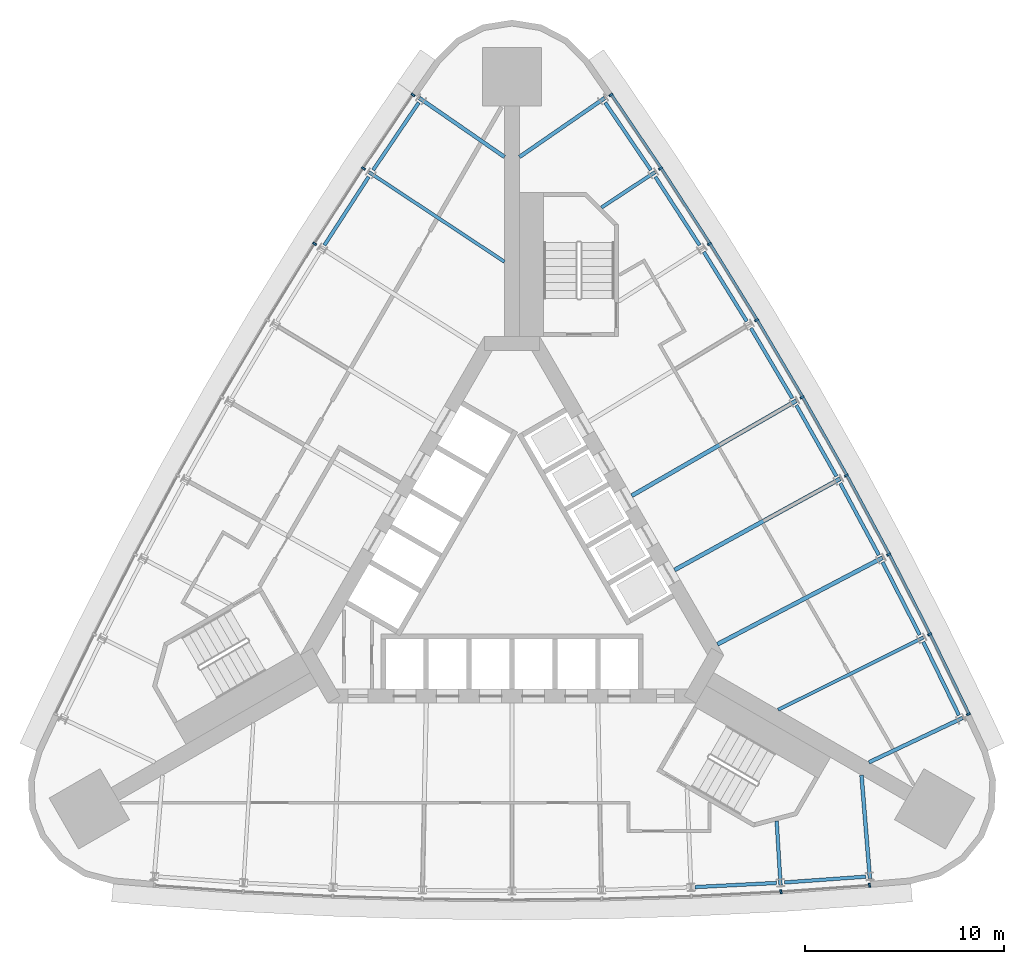
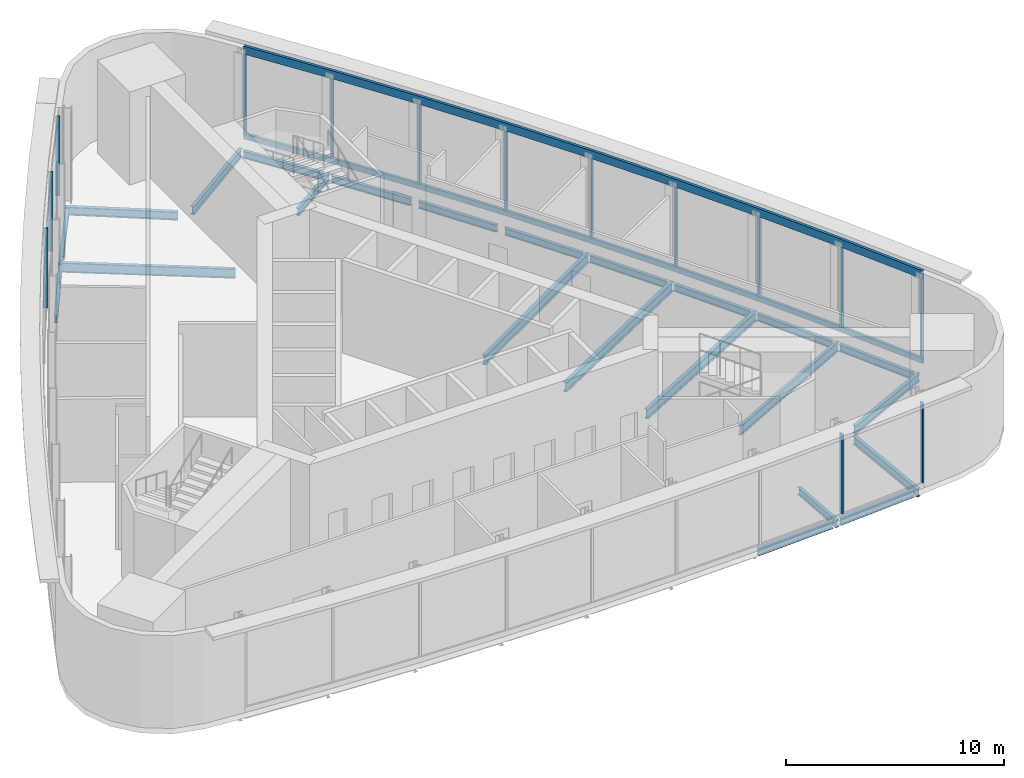
# One storey, part 4 of 11: 23 beams, 16 members, 3 elements without a shape of their own.
"""IFC4 building model written with IfcOpenShell, lengths in metres."""

from ifc_helpers import new_model, si_unit, direction, frame, origin, origin_2d, place, context, subcontext, project, spatial, polyline, rectangle, i_section, outline, extrude, material, material_profile, profile_set, type_object, element, aggregate, save


model = new_model("IFC4")

# Units and contexts
model_context = context("Model", 3, precision=1e-05, world=origin(), true_north=direction((0.0, 1.0)))
body_context = subcontext(model_context, "Body", "Model", "MODEL_VIEW")
ifc_project = project(units=[si_unit("LENGTHUNIT", "METRE"), si_unit("AREAUNIT", "SQUARE_METRE"), si_unit("VOLUMEUNIT", "CUBIC_METRE"), si_unit("PLANEANGLEUNIT", "RADIAN"), si_unit("MASSUNIT", "GRAM", prefix="KILO")], contexts=[model_context])

# Site, building, storey
site_placement = place(None, origin())
site = spatial("IfcSite", under=ifc_project, at=site_placement, CompositionType="ELEMENT")
building_placement = place(site_placement, origin())
building = spatial("IfcBuilding", under=site, at=building_placement, Name="Noor Cloister Tower", CompositionType="ELEMENT")
storey_placement = place(building_placement, frame((0.0, 0.0, 134.699951171875)))
storey = spatial("IfcBuildingStorey", under=building, at=storey_placement, Name="L34", CompositionType="ELEMENT", Elevation=134.699951171875)

# Curtain wall, member
ifc_material_1 = material(Name="Aluminium 6063-T6 anodised", Category="aluminium")
curtain_wall_type = type_object("IfcCurtainWallType", Name="Full height glass wall, sky lobby and observation deck CW3", PredefinedType="NOTDEFINED", material=ifc_material_1)
curtain_wall_1_placement = place(storey_placement, origin())
curtain_wall_1 = element("IfcCurtainWall", 1, at=curtain_wall_1_placement, inside=storey, type_object=curtain_wall_type, Name="CW3 L34 NE run 3", PredefinedType="NOTDEFINED")
ifc_material_2 = material(Name="Aluminium 6063-T6 anodised", Category="aluminium")
member_type_1 = type_object("IfcMemberType", Name="Head transom CW3 450", PredefinedType="USERDEFINED", material=ifc_material_2)
member_1_placement = place(storey_placement, frame((0.0, 0.0, 4.75)))
member_1 = element("IfcMember", 2, at=member_1_placement, type_object=member_type_1, Name="CW3 head transom", ObjectType="TRANSOM", PredefinedType="USERDEFINED", context=body_context, shape_type="SweptSolid", body=[
    extrude(outline(polyline([(22.992919921875, -7.48681640625), (21.025146484375, -3.43994140625), (18.9755859375, 0.566162109375), (16.845458984375, 4.52978515625), (14.635009765625, 8.449462890625), (12.345703125, 12.323486328125), (9.978271484375, 16.150390625), (7.533447265625, 19.92822265625), (5.0126953125, 23.65576171875), (4.896728515625, 23.577392578125), (7.416748046875, 19.85107421875), (9.85986328125, 16.075439453125), (12.225830078125, 12.251220703125), (14.513916015625, 8.379638671875), (16.72265625, 4.46240234375), (18.851806640625, 0.501220703125), (20.89990234375, -3.50244140625), (22.866943359375, -7.548095703125), (22.992919921875, -7.48681640625)])), origin(), (0.0, 0.0, 1.0), 0.449951171875),
])

# Curtain wall, members
curtain_wall_2_placement = place(storey_placement, origin())
curtain_wall_2 = element("IfcCurtainWall", 3, at=curtain_wall_2_placement, inside=storey, type_object=curtain_wall_type, Name="CW3 L34 NW run 1", PredefinedType="NOTDEFINED")
ifc_material_3 = material(Name="Aluminium 6063-T6 anodised", Category="aluminium")
ifc_material_profile_1 = material_profile(ifc_material_3, rectangle(XDim=0.199951171875, YDim=0.10009765625, at=origin_2d()), Name="200 x 100 mullion")
ifc_profile_set_1 = profile_set([ifc_material_profile_1], Name="Aluminium 6063-T6 anodised")
member_type_2 = type_object("IfcMemberType", Name="Mullion CW3 100 x 200", PredefinedType="MULLION", material=ifc_profile_set_1)
member_2_placement = place(storey_placement, frame((-4.957763671875, 23.558349609375, 0.300048828125), z_axis=(0.0, 0.0, 1.0), x_axis=(0.828355501592, -0.560202787374, 0.0)))
member_2 = element("IfcMember", 4, at=member_2_placement, type_object=member_type_2, Name="CW3 mullion 1", PredefinedType="MULLION", context=body_context, shape_type="SweptSolid", body=[
    extrude(rectangle(XDim=0.199951171875, YDim=0.10009765625, at=origin_2d()), origin(), (0.0, 0.0, 1.0), 4.449951171875),
])
member_3_placement = place(storey_placement, frame((-7.449951171875, 19.873046875, 0.300048828125), z_axis=(0.0, 0.0, 1.0), x_axis=(0.833997356538, -0.551768438105, 0.0)))
member_3 = element("IfcMember", 5, at=member_3_placement, type_object=member_type_2, Name="CW3 mullion 2", PredefinedType="MULLION", context=body_context, shape_type="SweptSolid", body=[
    extrude(rectangle(XDim=0.199951171875, YDim=0.10009765625, at=origin_2d()), origin(), (0.0, 0.0, 1.0), 4.449951171875),
])
member_4_placement = place(storey_placement, frame((-9.8935546875, 16.096923828125, 0.300048828125), z_axis=(0.0, 0.0, 1.0), x_axis=(0.845022876611, -0.534730154381, 0.0)))
member_4 = element("IfcMember", 6, at=member_4_placement, type_object=member_type_2, Name="CW3 mullion 3", PredefinedType="MULLION", context=body_context, shape_type="SweptSolid", body=[
    extrude(rectangle(XDim=0.199951171875, YDim=0.10009765625, at=origin_2d()), origin(), (0.0, 0.0, 1.0), 4.449951171875),
])
aggregate(curtain_wall_2, [member_2, member_3, member_4])

curtain_wall_3_placement = place(storey_placement, origin())
curtain_wall_3 = element("IfcCurtainWall", 7, at=curtain_wall_3_placement, inside=storey, type_object=curtain_wall_type, Name="CW3 L34 S run 2", PredefinedType="NOTDEFINED")
member_5_placement = place(storey_placement, frame((13.485595703125, -16.388427734375, 0.300048828125), z_axis=(0.0, 0.0, 1.0), x_axis=(-0.060846806136, 0.998147116503, 0.0)))
member_5 = element("IfcMember", 8, at=member_5_placement, type_object=member_type_2, Name="CW3 mullion 8", PredefinedType="MULLION", context=body_context, shape_type="SweptSolid", body=[
    extrude(rectangle(XDim=0.199951171875, YDim=0.10009765625, at=origin_2d()), origin(), (0.0, 0.0, 1.0), 4.449951171875),
])
member_6_placement = place(storey_placement, frame((17.92333984375, -16.07275390625, 0.300048828125), z_axis=(0.0, 0.0, 1.0), x_axis=(-0.070972094341, 0.997478301431, 0.0)))
member_6 = element("IfcMember", 9, at=member_6_placement, type_object=member_type_2, Name="CW3 mullion 9", PredefinedType="MULLION", context=body_context, shape_type="SweptSolid", body=[
    extrude(rectangle(XDim=0.199951171875, YDim=0.10009765625, at=origin_2d()), origin(), (0.0, 0.0, 1.0), 4.449951171875),
])
aggregate(curtain_wall_3, [member_5, member_6])

# Member
member_7_placement = place(storey_placement, frame((22.881103515625, -7.485595703125, 0.300048828125), z_axis=(0.0, 0.0, 1.0), x_axis=(-0.899327595933, -0.437275514056, 0.0)))
member_7 = element("IfcMember", 10, at=member_7_placement, type_object=member_type_2, Name="CW3 mullion 1", PredefinedType="MULLION", context=body_context, shape_type="SweptSolid", body=[
    extrude(rectangle(XDim=0.199951171875, YDim=0.10009765625, at=origin_2d()), origin(), (0.0, 0.0, 1.0), 4.449951171875),
])

member_8_placement = place(storey_placement, frame((20.935546875, -3.484619140625, 0.300048828125), z_axis=(0.0, 0.0, 1.0), x_axis=(-0.894844162674, -0.446378678398, 0.0)))
member_8 = element("IfcMember", 11, at=member_8_placement, type_object=member_type_2, Name="CW3 mullion 2", PredefinedType="MULLION", context=body_context, shape_type="SweptSolid", body=[
    extrude(rectangle(XDim=0.199951171875, YDim=0.10009765625, at=origin_2d()), origin(), (0.0, 0.0, 1.0), 4.449951171875),
])

member_9_placement = place(storey_placement, frame((18.88720703125, 0.519775390625, 0.300048828125), z_axis=(0.0, 0.0, 1.0), x_axis=(-0.885601336169, -0.464446200733, 0.0)))
member_9 = element("IfcMember", 12, at=member_9_placement, type_object=member_type_2, Name="CW3 mullion 3", PredefinedType="MULLION", context=body_context, shape_type="SweptSolid", body=[
    extrude(rectangle(XDim=0.199951171875, YDim=0.10009765625, at=origin_2d()), origin(), (0.0, 0.0, 1.0), 4.449951171875),
])

member_10_placement = place(storey_placement, frame((16.7578125, 4.481689453125, 0.300048828125), z_axis=(0.0, 0.0, 1.0), x_axis=(-0.875993769707, -0.482322418549, 0.0)))
member_10 = element("IfcMember", 13, at=member_10_placement, type_object=member_type_2, Name="CW3 mullion 4", PredefinedType="MULLION", context=body_context, shape_type="SweptSolid", body=[
    extrude(rectangle(XDim=0.199951171875, YDim=0.10009765625, at=origin_2d()), origin(), (0.0, 0.0, 1.0), 4.449951171875),
])

member_11_placement = place(storey_placement, frame((14.548583984375, 8.399658203125, 0.300048828125), z_axis=(0.0, 0.0, 1.0), x_axis=(-0.866025403784, -0.5, 0.0)))
member_11 = element("IfcMember", 14, at=member_11_placement, type_object=member_type_2, Name="CW3 mullion 5", PredefinedType="MULLION", context=body_context, shape_type="SweptSolid", body=[
    extrude(rectangle(XDim=0.199951171875, YDim=0.10009765625, at=origin_2d()), origin(), (0.0, 0.0, 1.0), 4.449951171875),
])

member_12_placement = place(storey_placement, frame((12.26025390625, 12.271728515625, 0.300048828125), z_axis=(0.0, 0.0, 1.0), x_axis=(-0.855700352132, -0.517471648848, 0.0)))
member_12 = element("IfcMember", 15, at=member_12_placement, type_object=member_type_2, Name="CW3 mullion 6", PredefinedType="MULLION", context=body_context, shape_type="SweptSolid", body=[
    extrude(rectangle(XDim=0.199951171875, YDim=0.10009765625, at=origin_2d()), origin(), (0.0, 0.0, 1.0), 4.449951171875),
])

member_13_placement = place(storey_placement, frame((9.8935546875, 16.096923828125, 0.300048828125), z_axis=(0.0, 0.0, 1.0), x_axis=(-0.845022876611, -0.534730154381, 0.0)))
member_13 = element("IfcMember", 16, at=member_13_placement, type_object=member_type_2, Name="CW3 mullion 7", PredefinedType="MULLION", context=body_context, shape_type="SweptSolid", body=[
    extrude(rectangle(XDim=0.199951171875, YDim=0.10009765625, at=origin_2d()), origin(), (0.0, 0.0, 1.0), 4.449951171875),
])

member_14_placement = place(storey_placement, frame((7.449951171875, 19.873046875, 0.300048828125), z_axis=(0.0, 0.0, 1.0), x_axis=(-0.833997356538, -0.551768438105, 0.0)))
member_14 = element("IfcMember", 17, at=member_14_placement, type_object=member_type_2, Name="CW3 mullion 8", PredefinedType="MULLION", context=body_context, shape_type="SweptSolid", body=[
    extrude(rectangle(XDim=0.199951171875, YDim=0.10009765625, at=origin_2d()), origin(), (0.0, 0.0, 1.0), 4.449951171875),
])

member_15_placement = place(storey_placement, frame((4.957763671875, 23.558349609375, 0.300048828125), z_axis=(0.0, 0.0, 1.0), x_axis=(-0.828355501592, -0.560202787374, 0.0)))
member_15 = element("IfcMember", 18, at=member_15_placement, type_object=member_type_2, Name="CW3 mullion 9", PredefinedType="MULLION", context=body_context, shape_type="SweptSolid", body=[
    extrude(rectangle(XDim=0.199951171875, YDim=0.10009765625, at=origin_2d()), origin(), (0.0, 0.0, 1.0), 4.449951171875),
])

# Beams
ifc_material_4 = material(Name="Steel ASTM A992 Gr 50", Category="steel")
ifc_material_profile_2 = material_profile(ifc_material_4, i_section(OverallWidth=0.177978515625, OverallDepth=0.406005859375, WebThickness=0.0078125, FlangeThickness=0.0126953125, FilletRadius=0.01025390625, at=origin_2d()), Name="W410x60")
ifc_profile_set_2 = profile_set([ifc_material_profile_2], Name="Steel ASTM A992 Gr 50")
beam_type_1 = type_object("IfcBeamType", Name="Radial beam W410x60", PredefinedType="BEAM", material=ifc_profile_set_2)
for number, where, z_axis, x_axis, name in (
    (19, (13.464599609375, -16.046142578125, -0.5029296875), (-0.060818289398, 0.998148854467, 0.0), (-0.998148854467, -0.060818289398, 0.0), "Radial beam S 08 L34"),
    (20, (7.1640625, 19.683837890625, -0.5029296875), (-0.833995920975, -0.55177060795, 0.0), (0.55177060795, -0.833995920975, 0.0), "Radial beam NE 08 L34"),
):
    element("IfcBeam", number, at=place(storey_placement, frame(where, z_axis=z_axis, x_axis=x_axis)), inside=storey, type_object=beam_type_1, Name=name, PredefinedType="BEAM", context=body_context, shape_type="SweptSolid", body=[
        extrude(i_section(OverallWidth=0.177978515625, OverallDepth=0.406005859375, WebThickness=0.0078125, FlangeThickness=0.0126953125, FilletRadius=0.01025390625, at=origin_2d()), origin(), (0.0, 0.0, 1.0), 3.21533203125),
    ])
ifc_material_5 = material(Name="Steel ASTM A992 Gr 50", Category="steel")
ifc_material_profile_3 = material_profile(ifc_material_5, i_section(OverallWidth=0.19091796875, OverallDepth=0.45703125, WebThickness=0.009033203125, FlangeThickness=0.014404296875, FilletRadius=0.01025390625, at=origin_2d()), Name="W460x74")
ifc_profile_set_3 = profile_set([ifc_material_profile_3], Name="Steel ASTM A992 Gr 50")
beam_type_2 = type_object("IfcBeamType", Name="Radial beam W460x74", PredefinedType="BEAM", material=ifc_profile_set_3)
beam_1_placement = place(storey_placement, frame((-4.648193359375, 23.404052734375, -0.528564453125), z_axis=(0.822620024231, -0.568591501637, 0.0), x_axis=(0.568591501637, 0.822620024231, 0.0)))
element("IfcBeam", 21, at=beam_1_placement, inside=storey, type_object=beam_type_2, Name="Radial beam NW 01 L34", PredefinedType="BEAM", context=body_context, shape_type="SweptSolid", body=[
    extrude(i_section(OverallWidth=0.19091796875, OverallDepth=0.45703125, WebThickness=0.009033203125, FlangeThickness=0.014404296875, FilletRadius=0.01025390625, at=origin_2d()), origin(), (0.0, 0.0, 1.0), 5.194580078125),
])
beam_2_placement = place(storey_placement, frame((17.9443359375, -15.727294921875, -0.528564453125), z_axis=(-0.081077101353, 0.996707832635, 0.0), x_axis=(-0.996707832635, -0.081077101353, 0.0)))
element("IfcBeam", 22, at=beam_2_placement, inside=storey, type_object=beam_type_2, Name="Radial beam S 09 L34", PredefinedType="BEAM", context=body_context, shape_type="SweptSolid", body=[
    extrude(i_section(OverallWidth=0.19091796875, OverallDepth=0.45703125, WebThickness=0.009033203125, FlangeThickness=0.014404296875, FilletRadius=0.01025390625, at=origin_2d()), origin(), (0.0, 0.0, 1.0), 5.1943359375),
])
for number, where, z_axis, x_axis, name in (
    (23, (22.592529296875, -7.676513671875, -0.528564453125), (-0.903719654747, -0.428124731386, 0.0), (0.428124731386, -0.903719654747, 0.0), "Radial beam NE 01 L34"),
    (24, (4.648193359375, 23.404052734375, -0.528564453125), (-0.822620024231, -0.568591501637, 0.0), (0.568591501637, -0.822620024231, 0.0), "Radial beam NE 09 L34"),
):
    element("IfcBeam", number, at=place(storey_placement, frame(where, z_axis=z_axis, x_axis=x_axis)), inside=storey, type_object=beam_type_2, Name=name, PredefinedType="BEAM", context=body_context, shape_type="SweptSolid", body=[
        extrude(i_section(OverallWidth=0.19091796875, OverallDepth=0.45703125, WebThickness=0.009033203125, FlangeThickness=0.014404296875, FilletRadius=0.01025390625, at=origin_2d()), origin(), (0.0, 0.0, 1.0), 5.194580078125),
    ])
ifc_material_6 = material(Name="Steel ASTM A992 Gr 50", Category="steel")
ifc_material_profile_4 = material_profile(ifc_material_6, i_section(OverallWidth=0.166015625, OverallDepth=0.528076171875, WebThickness=0.009765625, FlangeThickness=0.013671875, FilletRadius=0.0126953125, at=origin_2d()), Name="W530x74")
ifc_profile_set_4 = profile_set([ifc_material_profile_4], Name="Steel ASTM A992 Gr 50")
beam_type_3 = type_object("IfcBeamType", Name="Radial beam W530x74", PredefinedType="BEAM", material=ifc_profile_set_4)
beam_3_placement = place(storey_placement, frame((-7.1640625, 19.683837890625, -0.56396484375), z_axis=(0.83400608338, -0.551755247265, 0.0), x_axis=(0.551755247265, 0.83400608338, 0.0)))
element("IfcBeam", 25, at=beam_3_placement, inside=storey, type_object=beam_type_3, Name="Radial beam NW 02 L34", PredefinedType="BEAM", context=body_context, shape_type="SweptSolid", body=[
    extrude(i_section(OverallWidth=0.166015625, OverallDepth=0.528076171875, WebThickness=0.009765625, FlangeThickness=0.013671875, FilletRadius=0.0126953125, at=origin_2d()), origin(), (0.0, 0.0, 1.0), 8.140380859375),
])
beam_4_placement = place(storey_placement, frame((20.628662109375, -3.6376953125, -0.56396484375), z_axis=(-0.894834707168, -0.446397633111, 0.0), x_axis=(0.446397633111, -0.894834707168, 0.0)))
element("IfcBeam", 26, at=beam_4_placement, inside=storey, type_object=beam_type_3, Name="Radial beam NE 02 L34", PredefinedType="BEAM", context=body_context, shape_type="SweptSolid", body=[
    extrude(i_section(OverallWidth=0.166015625, OverallDepth=0.528076171875, WebThickness=0.009765625, FlangeThickness=0.013671875, FilletRadius=0.0126953125, at=origin_2d()), origin(), (0.0, 0.0, 1.0), 8.14013671875),
])
ifc_material_7 = material(Name="Steel ASTM A992 Gr 50", Category="steel")
ifc_material_profile_5 = material_profile(ifc_material_7, i_section(OverallWidth=0.208984375, OverallDepth=0.532958984375, WebThickness=0.01025390625, FlangeThickness=0.015625, FilletRadius=0.0126953125, at=origin_2d()), Name="W530x92")
ifc_profile_set_5 = profile_set([ifc_material_profile_5], Name="Steel ASTM A992 Gr 50")
beam_type_4 = type_object("IfcBeamType", Name="Radial beam W530x92", PredefinedType="BEAM", material=ifc_profile_set_5)
beam_5_placement = place(storey_placement, frame((18.58349609375, 0.3603515625, -0.56640625), z_axis=(-0.885609707743, -0.464430237551, 0.0), x_axis=(0.464430237551, -0.885609707743, 0.0)))
element("IfcBeam", 27, at=beam_5_placement, inside=storey, type_object=beam_type_4, Name="Radial beam NE 03 L34", PredefinedType="BEAM", context=body_context, shape_type="SweptSolid", body=[
    extrude(i_section(OverallWidth=0.208984375, OverallDepth=0.532958984375, WebThickness=0.01025390625, FlangeThickness=0.015625, FilletRadius=0.0126953125, at=origin_2d()), origin(), (0.0, 0.0, 1.0), 9.353271484375),
])
beam_6_placement = place(storey_placement, frame((16.457275390625, 4.316162109375, -0.56640625), z_axis=(-0.875992983041, -0.482323847289, 0.0), x_axis=(0.482323847289, -0.875992983041, 0.0)))
element("IfcBeam", 28, at=beam_6_placement, inside=storey, type_object=beam_type_4, Name="Radial beam NE 04 L34", PredefinedType="BEAM", context=body_context, shape_type="SweptSolid", body=[
    extrude(i_section(OverallWidth=0.208984375, OverallDepth=0.532958984375, WebThickness=0.01025390625, FlangeThickness=0.015625, FilletRadius=0.0126953125, at=origin_2d()), origin(), (0.0, 0.0, 1.0), 9.484130859375),
])
beam_7_placement = place(storey_placement, frame((14.25146484375, 8.22802734375, -0.56640625), z_axis=(-0.866028559269, -0.4999945345, 0.0), x_axis=(0.4999945345, -0.866028559269, 0.0)))
element("IfcBeam", 29, at=beam_7_placement, inside=storey, type_object=beam_type_4, Name="Radial beam NE 05 L34", PredefinedType="BEAM", context=body_context, shape_type="SweptSolid", body=[
    extrude(i_section(OverallWidth=0.208984375, OverallDepth=0.532958984375, WebThickness=0.01025390625, FlangeThickness=0.015625, FilletRadius=0.0126953125, at=origin_2d()), origin(), (0.0, 0.0, 1.0), 9.52783203125),
])

# Member
ifc_material_8 = material(Name="Aluminium 6063-T6 anodised", Category="aluminium")
member_type_3 = type_object("IfcMemberType", Name="Sill transom CW3 300", PredefinedType="USERDEFINED", material=ifc_material_8)
member_16_placement = place(storey_placement, origin())
member_16 = element("IfcMember", 30, at=member_16_placement, type_object=member_type_3, Name="CW3 sill transom", ObjectType="TRANSOM", PredefinedType="USERDEFINED", context=body_context, shape_type="SweptSolid", body=[
    extrude(outline(polyline([(22.992919921875, -7.48681640625), (21.025146484375, -3.43994140625), (18.9755859375, 0.566162109375), (16.845458984375, 4.52978515625), (14.635009765625, 8.449462890625), (12.345703125, 12.323486328125), (9.978271484375, 16.150390625), (7.533447265625, 19.92822265625), (5.0126953125, 23.65576171875), (4.896728515625, 23.577392578125), (7.416748046875, 19.85107421875), (9.85986328125, 16.075439453125), (12.225830078125, 12.251220703125), (14.513916015625, 8.379638671875), (16.72265625, 4.46240234375), (18.851806640625, 0.501220703125), (20.89990234375, -3.50244140625), (22.866943359375, -7.548095703125), (22.992919921875, -7.48681640625)])), origin(), (0.0, 0.0, 1.0), 0.300048828125),
])

aggregate(curtain_wall_1, [member_7, member_8, member_9, member_10, member_11, member_12, member_13, member_14, member_15, member_16, member_1])

# Beams
ifc_material_9 = material(Name="Steel ASTM A992 Gr 50", Category="steel")
ifc_material_profile_6 = material_profile(ifc_material_9, i_section(OverallWidth=0.177978515625, OverallDepth=0.406005859375, WebThickness=0.0078125, FlangeThickness=0.0126953125, FilletRadius=0.01025390625, at=origin_2d()), Name="W410x60")
ifc_profile_set_6 = profile_set([ifc_material_profile_6], Name="Steel ASTM A992 Gr 50")
beam_type_5 = type_object("IfcBeamType", Name="Spandrel beam W410x60", PredefinedType="SPANDREL", material=ifc_profile_set_6)
beam_8_placement = place(storey_placement, frame((-4.671875, 23.177734375, -0.5029296875), z_axis=(-0.560198542008, -0.828358372646, 0.0), x_axis=(0.828358372646, -0.560198542008, 0.0)))
element("IfcBeam", 31, at=beam_8_placement, inside=storey, type_object=beam_type_5, Name="Spandrel beam NW 01 L34", PredefinedType="SPANDREL", context=body_context, shape_type="SweptSolid", body=[
    extrude(i_section(OverallWidth=0.177978515625, OverallDepth=0.406005859375, WebThickness=0.0078125, FlangeThickness=0.0126953125, FilletRadius=0.01025390625, at=origin_2d()), origin(), (0.0, 0.0, 1.0), 4.089599609375),
])
for number, where, z_axis, x_axis, name in (
    (32, (-7.18310546875, 19.457275390625, -0.5029296875), (-0.543283454775, -0.839549336113, 0.0), (0.839549336113, -0.543283454775, 0.0), "Spandrel beam NW 02 L34"),
    (33, (9.174560546875, -16.156982421875, -0.5029296875), (0.998711821136, 0.050741485234, 0.0), (-0.050741485234, 0.998711821136, 0.0), "Spandrel beam S 07 L34"),
):
    element("IfcBeam", number, at=place(storey_placement, frame(where, z_axis=z_axis, x_axis=x_axis)), inside=storey, type_object=beam_type_5, Name=name, PredefinedType="SPANDREL", context=body_context, shape_type="SweptSolid", body=[
        extrude(i_section(OverallWidth=0.177978515625, OverallDepth=0.406005859375, WebThickness=0.0078125, FlangeThickness=0.0126953125, FilletRadius=0.01025390625, at=origin_2d()), origin(), (0.0, 0.0, 1.0), 4.08984375),
    ])
for number, where, z_axis, x_axis, name in (
    (34, (13.6572265625, -15.92529296875, -0.5029296875), (0.997477754952, 0.070979774411, 0.0), (-0.070979774411, 0.997477754952, 0.0), "Spandrel beam S 08 L34"),
    (35, (22.408447265625, -7.54296875, -0.5029296875), (-0.437276535228, 0.899327099413, 0.0), (-0.899327099413, -0.437276535228, 0.0), "Spandrel beam NE 01 L34"),
    (36, (20.442138671875, -3.5078125, -0.5029296875), (-0.455432892146, 0.890270116735, 0.0), (-0.890270116735, -0.455432892146, 0.0), "Spandrel beam NE 02 L34"),
    (37, (18.394287109375, 0.486572265625, -0.5029296875), (-0.473451797532, 0.880819729237, 0.0), (-0.880819729237, -0.473451797532, 0.0), "Spandrel beam NE 03 L34"),
    (38, (16.265625, 4.4384765625, -0.5029296875), (-0.491193449211, 0.871050512572, 0.0), (-0.871050512572, -0.491193449211, 0.0), "Spandrel beam NE 04 L34"),
    (39, (14.057373046875, 8.346435546875, -0.5029296875), (-0.508795681005, 0.860887306789, 0.0), (-0.860887306789, -0.508795681005, 0.0), "Spandrel beam NE 05 L34"),
    (40, (11.77001953125, 12.208740234375, -0.5029296875), (-0.526124412901, 0.850407609414, 0.0), (-0.850407609414, -0.526124412901, 0.0), "Spandrel beam NE 06 L34"),
):
    element("IfcBeam", number, at=place(storey_placement, frame(where, z_axis=z_axis, x_axis=x_axis)), inside=storey, type_object=beam_type_5, Name=name, PredefinedType="SPANDREL", context=body_context, shape_type="SweptSolid", body=[
        extrude(i_section(OverallWidth=0.177978515625, OverallDepth=0.406005859375, WebThickness=0.0078125, FlangeThickness=0.0126953125, FilletRadius=0.01025390625, at=origin_2d()), origin(), (0.0, 0.0, 1.0), 4.089599609375),
    ])
beam_9_placement = place(storey_placement, frame((9.405029296875, 16.023681640625, -0.5029296875), z_axis=(-0.543283454775, 0.839549336113, 0.0), x_axis=(-0.839549336113, -0.543283454775, 0.0)))
element("IfcBeam", 41, at=beam_9_placement, inside=storey, type_object=beam_type_5, Name="Spandrel beam NE 07 L34", PredefinedType="SPANDREL", context=body_context, shape_type="SweptSolid", body=[
    extrude(i_section(OverallWidth=0.177978515625, OverallDepth=0.406005859375, WebThickness=0.0078125, FlangeThickness=0.0126953125, FilletRadius=0.01025390625, at=origin_2d()), origin(), (0.0, 0.0, 1.0), 4.08984375),
])
beam_10_placement = place(storey_placement, frame((6.962890625, 19.7900390625, -0.5029296875), z_axis=(-0.560198542008, 0.828358372646, 0.0), x_axis=(-0.828358372646, -0.560198542008, 0.0)))
element("IfcBeam", 42, at=beam_10_placement, inside=storey, type_object=beam_type_5, Name="Spandrel beam NE 08 L34", PredefinedType="SPANDREL", context=body_context, shape_type="SweptSolid", body=[
    extrude(i_section(OverallWidth=0.177978515625, OverallDepth=0.406005859375, WebThickness=0.0078125, FlangeThickness=0.0126953125, FilletRadius=0.01025390625, at=origin_2d()), origin(), (0.0, 0.0, 1.0), 4.089599609375),
])

save(model, "model.ifc")
